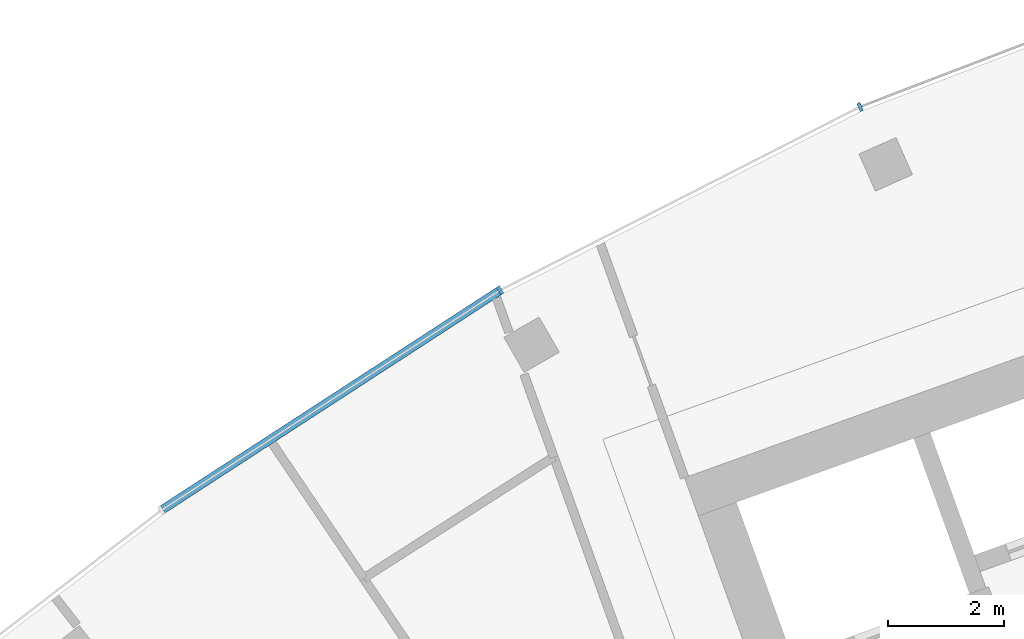
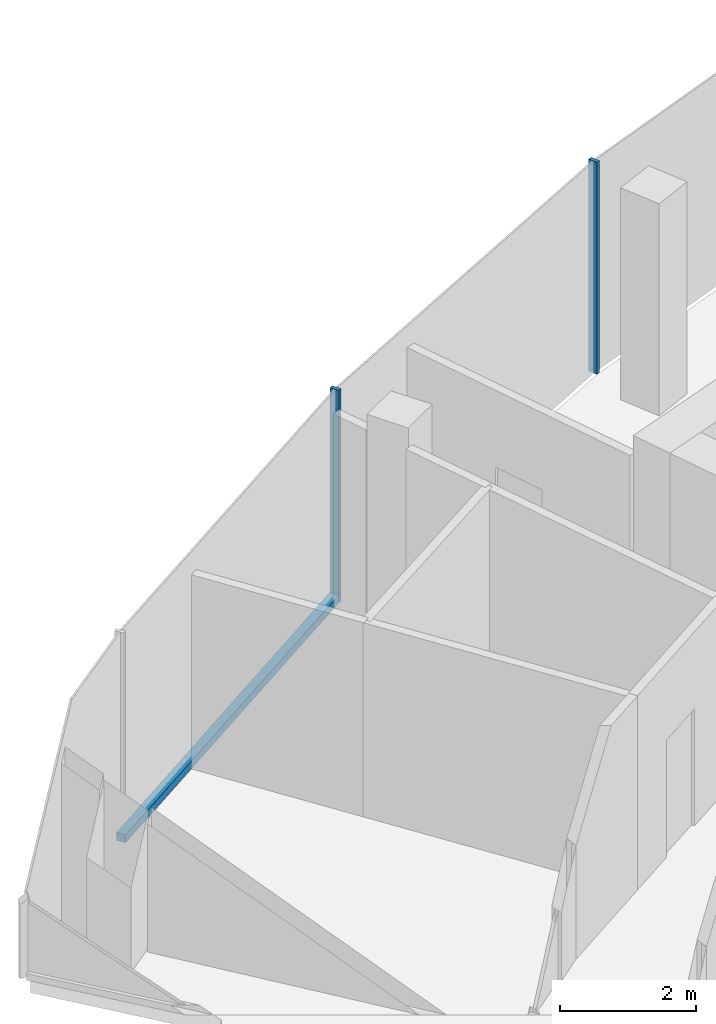
# One storey, part 4 of 18: 3 members, 1 element without a shape of its own.
"""IFC4 building model written with IfcOpenShell, lengths in metres."""

from ifc_helpers import new_model, si_unit, direction, frame, origin, origin_2d, place, context, subcontext, project, spatial, rectangle, extrude, material, layer, layer_set, material_profile, profile_set, type_object, element, aggregate, save


model = new_model("IFC4")

# Units and contexts
model_context = context("Model", 3, precision=1e-05, world=origin(), true_north=direction((0.0, 1.0)))
body_context = subcontext(model_context, "Body", "Model", "MODEL_VIEW")
ifc_project = project(units=[si_unit("LENGTHUNIT", "METRE"), si_unit("AREAUNIT", "SQUARE_METRE"), si_unit("VOLUMEUNIT", "CUBIC_METRE"), si_unit("PLANEANGLEUNIT", "RADIAN"), si_unit("MASSUNIT", "GRAM", prefix="KILO")], contexts=[model_context])

# Site, building, storey
site_placement = place(None, origin())
site = spatial("IfcSite", under=ifc_project, at=site_placement, CompositionType="ELEMENT")
building_placement = place(site_placement, origin())
building = spatial("IfcBuilding", under=site, at=building_placement, Name="Stone Belt Terrace Tower", CompositionType="ELEMENT")
storey_placement = place(building_placement, frame((0.0, 0.0, 299.800048828125)))
storey = spatial("IfcBuildingStorey", under=building, at=storey_placement, Name="L73", CompositionType="ELEMENT", Elevation=299.800048828125)

# Curtain wall, members
ifc_material = material(Name="Aluminium 6063-T6 anodised frame", Category="aluminium")
ifc_layer = layer(ifc_material, 0.14990234375)
ifc_layer_set = layer_set([ifc_layer], Name="CW-A unitised convex-face curtain wall")
curtain_wall_type = type_object("IfcCurtainWallType", Name="CW-A unitised convex-face curtain wall", PredefinedType="NOTDEFINED", material=ifc_layer_set)
curtain_wall_placement = place(storey_placement, origin())
curtain_wall = element("IfcCurtainWall", 1, at=curtain_wall_placement, inside=storey, type_object=curtain_wall_type, Name="CW-A convex face L73", PredefinedType="NOTDEFINED")
ifc_material_profile_1 = material_profile(ifc_material, rectangle(XDim=0.14990234375, YDim=0.06005859375, at=origin_2d()), Name="Aluminium 6063-T6 60x150")
ifc_profile_set_1 = profile_set([ifc_material_profile_1], Name="Aluminium 6063-T6 anodised frame")
member_type_1 = type_object("IfcMemberType", Name="CW-A mullion 60 x 150", PredefinedType="MULLION", material=ifc_profile_set_1)
member_1_placement = place(storey_placement, frame((-27.07861328125, 60.8193359375, 0.0), z_axis=(0.0, 0.0, 1.0), x_axis=(0.406736643076, -0.913545457643, 0.0)))
member_1 = element("IfcMember", 2, at=member_1_placement, type_object=member_type_1, Name="CW-A mullion 12", PredefinedType="MULLION", context=body_context, shape_type="SweptSolid", body=[
    extrude(rectangle(XDim=0.14990234375, YDim=0.06005859375, at=origin_2d()), origin(), (0.0, 0.0, 1.0), 3.800048828125),
])
member_2_placement = place(storey_placement, frame((-33.28759765625, 57.65576171875, 0.0), z_axis=(0.0, 0.0, 1.0), x_axis=(0.5, -0.866025403784, 0.0)))
member_2 = element("IfcMember", 3, at=member_2_placement, type_object=member_type_1, Name="CW-A mullion 13", PredefinedType="MULLION", context=body_context, shape_type="SweptSolid", body=[
    extrude(rectangle(XDim=0.14990234375, YDim=0.06005859375, at=origin_2d()), origin(), (0.0, 0.0, 1.0), 3.800048828125),
])
ifc_material_profile_2 = material_profile(ifc_material, rectangle(XDim=0.14990234375, YDim=0.139892578125, at=origin_2d()), Name="Aluminium 6063-T6 150x140")
ifc_profile_set_2 = profile_set([ifc_material_profile_2], Name="Aluminium 6063-T6 anodised frame")
member_type_2 = type_object("IfcMemberType", Name="CW-A transom 140 x 150", PredefinedType="USERDEFINED", material=ifc_profile_set_2)
member_3_placement = place(storey_placement, frame((-33.31591796875, 57.63720703125, 0.070068359375), z_axis=(-0.83868440714, -0.544617723931, 0.0), x_axis=(0.544617723931, -0.83868440714, 0.0)))
member_3 = element("IfcMember", 4, at=member_3_placement, type_object=member_type_2, Name="CW-A transom 13.1", ObjectType="TRANSOM", PredefinedType="USERDEFINED", context=body_context, shape_type="SweptSolid", body=[
    extrude(rectangle(XDim=0.14990234375, YDim=0.139892578125, at=origin_2d()), origin(), (0.0, 0.0, 1.0), 6.90087890625),
])
aggregate(curtain_wall, [member_1, member_2, member_3])

save(model, "model.ifc")
